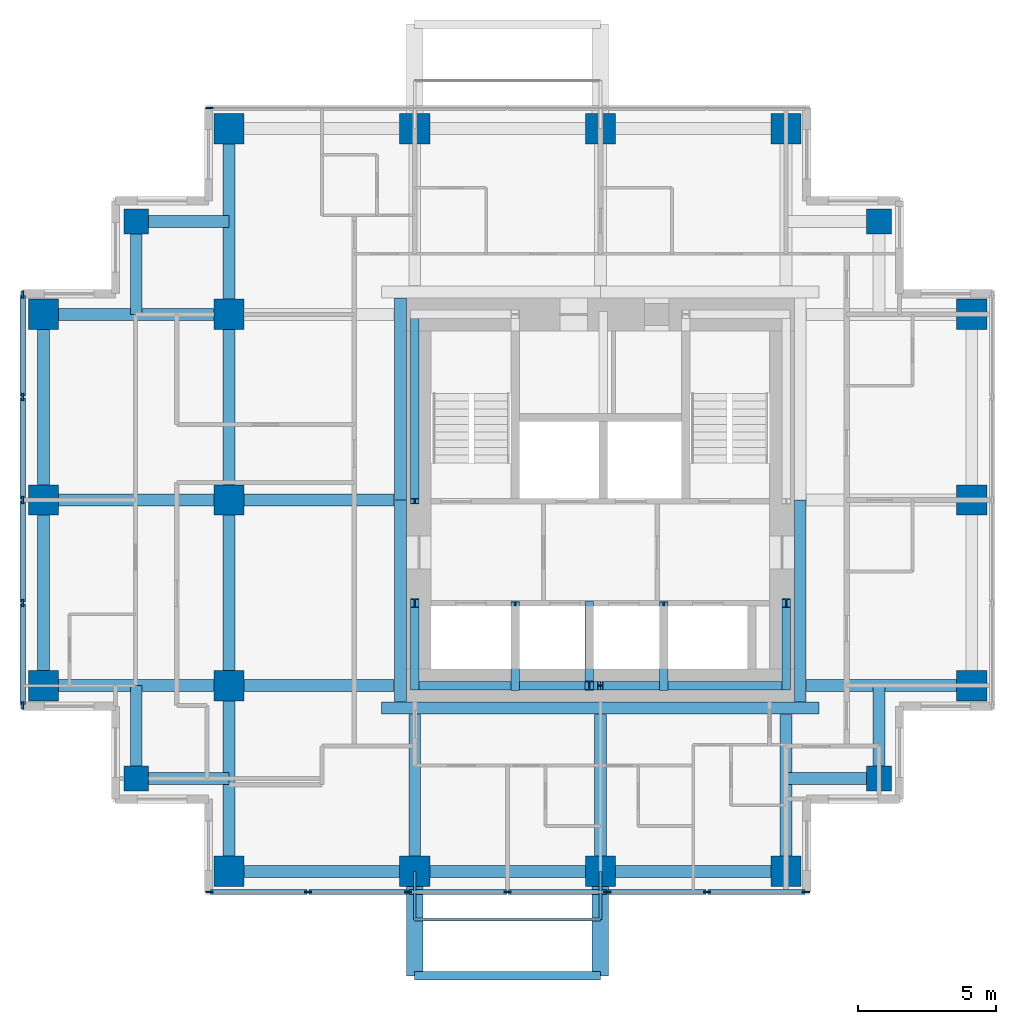
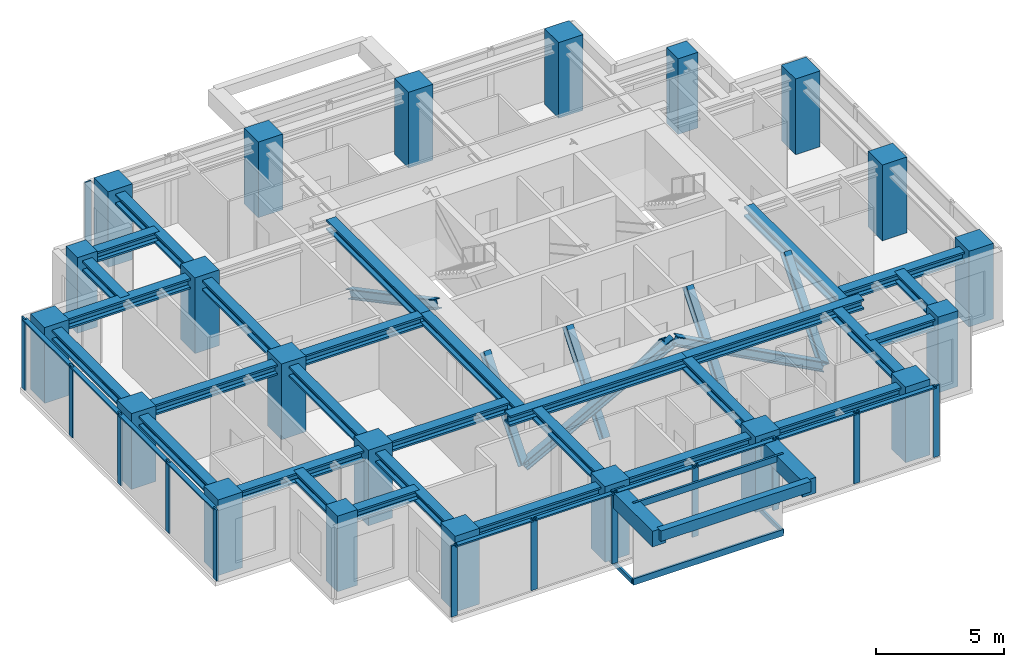
# One storey, part 1 of 7: 35 members, 32 beams, 21 columns, 3 elements without a shape of their own.
"""IFC4 building model written with IfcOpenShell, lengths in metres."""

from ifc_helpers import new_model, si_unit, direction, frame, origin, origin_2d, place, context, subcontext, project, spatial, rectangle, hollow_rectangle, i_section, extrude, material, material_profile, profile_set, type_object, element, aggregate, save


model = new_model("IFC4")

# Units and contexts
model_context = context("Model", 3, precision=1e-05, world=origin(), true_north=direction((0.0, 1.0)))
body_context = subcontext(model_context, "Body", "Model", "MODEL_VIEW")
ifc_project = project(units=[si_unit("LENGTHUNIT", "METRE"), si_unit("AREAUNIT", "SQUARE_METRE"), si_unit("VOLUMEUNIT", "CUBIC_METRE"), si_unit("PLANEANGLEUNIT", "RADIAN"), si_unit("MASSUNIT", "GRAM", prefix="KILO")], contexts=[model_context])

# Site, building, storey
site_placement = place(None, origin())
site = spatial("IfcSite", under=ifc_project, at=site_placement, CompositionType="ELEMENT")
building_placement = place(site_placement, origin())
building = spatial("IfcBuilding", under=site, at=building_placement, Name="Nyansa Garden Tower", CompositionType="ELEMENT")
storey_placement = place(building_placement, frame((0.0, 0.0, 215.10009765625)))
storey = spatial("IfcBuildingStorey", under=building, at=storey_placement, Name="L58", CompositionType="ELEMENT", Elevation=215.10009765625)

# Columns
ifc_material_1 = material(Name="Concrete C70/85", Category="concrete")
ifc_material_profile_1 = material_profile(ifc_material_1, rectangle(XDim=1.10009765625, YDim=1.10009765625, at=origin_2d()), Name="RC 1100x1100")
ifc_profile_set_1 = profile_set([ifc_material_profile_1], Name="Concrete C70/85")
column_type_1 = type_object("IfcColumnType", Name="Column C110 RC 1100x1100", PredefinedType="COLUMN", material=ifc_profile_set_1)
for number, where, z_axis, x_axis, name in (
    (1, (0.0, 13.5, 0.0), (0.0, 0.0, 1.0), (1.0, 0.0, 0.0), "Column 2/F L58"),
    (2, (0.0, 20.25, 0.0), (0.0, 0.0, 1.0), (1.0, 0.0, 0.0), "Column 2/G L58"),
    (3, (0.0, 27.0, 0.0), (0.0, 0.0, 1.0), (1.0, 0.0, 0.0), "Column 2/H L58"),
    (4, (6.75, 6.75, 0.0), (0.0, 0.0, 1.0), (1.0, 0.0, 0.0), "Column 3/E L58"),
    (5, (6.75, 13.5, 0.0), (0.0, 0.0, 1.0), (1.0, 0.0, 0.0), "Column 3/F L58"),
    (6, (6.75, 20.25, 0.0), (0.0, 0.0, 1.0), (1.0, 0.0, 0.0), "Column 3/G L58"),
    (7, (6.75, 27.0, 0.0), (0.0, 0.0, 1.0), (1.0, 0.0, 0.0), "Column 3/H L58"),
    (8, (6.75, 33.75, 0.0), (0.0, 0.0, 1.0), (1.0, 0.0, 0.0), "Column 3/J L58"),
    (9, (13.5, 6.75, 0.0), (0.0, 0.0, 1.0), (1.0, 0.0, 0.0), "Column 4/E L58"),
    (10, (13.5, 33.75, 0.0), (0.0, 0.0, 1.0), (1.0, 0.0, 0.0), "Column 4/J L58"),
    (11, (20.25, 6.75, 0.0), (0.0, 0.0, 1.0), (1.0, 0.0, 0.0), "Column 5/E L58"),
    (12, (20.25, 33.75, 0.0), (0.0, 0.0, 1.0), (1.0, 0.0, 0.0), "Column 5/J L58"),
    (13, (27.0, 6.75, 0.0), (0.0, 0.0, 1.0), (1.0, 0.0, 0.0), "Column 6/E L58"),
    (14, (27.0, 33.75, 0.0), (0.0, 0.0, 1.0), (1.0, 0.0, 0.0), "Column 6/J L58"),
    (15, (33.75, 13.5, 0.0), (0.0, 0.0, 1.0), (1.0, 0.0, 0.0), "Column 7/F L58"),
    (16, (33.75, 20.25, 0.0), (0.0, 0.0, 1.0), (1.0, 0.0, 0.0), "Column 7/G L58"),
    (17, (33.75, 27.0, 0.0), (0.0, 0.0, 1.0), (1.0, 0.0, 0.0), "Column 7/H L58"),
):
    element("IfcColumn", number, at=place(storey_placement, frame(where, z_axis=z_axis, x_axis=x_axis)), inside=storey, type_object=column_type_1, Name=name, PredefinedType="COLUMN", context=body_context, shape_type="SweptSolid", body=[
        extrude(rectangle(XDim=1.10009765625, YDim=1.10009765625, at=origin_2d()), origin(), (0.0, 0.0, 1.0), 3.599853515625),
    ])
ifc_material_2 = material(Name="Concrete C70/85", Category="concrete")
ifc_material_profile_2 = material_profile(ifc_material_2, rectangle(XDim=0.89990234375, YDim=0.89990234375, at=origin_2d()), Name="RC 900x900")
ifc_profile_set_2 = profile_set([ifc_material_profile_2], Name="Concrete C70/85")
column_type_2 = type_object("IfcColumnType", Name="Column C90 RC 900x900", PredefinedType="COLUMN", material=ifc_profile_set_2)
for number, where, z_axis, x_axis, name in (
    (18, (3.375, 10.125, 0.0), (0.0, 0.0, 1.0), (1.0, 0.0, 0.0), "Column x3.375/y10.125 L58"),
    (19, (3.375, 30.375, 0.0), (0.0, 0.0, 1.0), (1.0, 0.0, 0.0), "Column x3.375/y30.375 L58"),
    (20, (30.375, 10.125, 0.0), (0.0, 0.0, 1.0), (1.0, 0.0, 0.0), "Column x30.375/y10.125 L58"),
    (21, (30.375, 30.375, 0.0), (0.0, 0.0, 1.0), (1.0, 0.0, 0.0), "Column x30.375/y30.375 L58"),
):
    element("IfcColumn", number, at=place(storey_placement, frame(where, z_axis=z_axis, x_axis=x_axis)), inside=storey, type_object=column_type_2, Name=name, PredefinedType="COLUMN", context=body_context, shape_type="SweptSolid", body=[
        extrude(rectangle(XDim=0.89990234375, YDim=0.89990234375, at=origin_2d()), origin(), (0.0, 0.0, 1.0), 3.599853515625),
    ])

# Beams
ifc_material_3 = material(Name="Concrete C70/85", Category="concrete")
ifc_material_profile_3 = material_profile(ifc_material_3, rectangle(XDim=0.60009765625, YDim=0.75, at=origin_2d()), Name="RC 600x750")
ifc_profile_set_3 = profile_set([ifc_material_profile_3], Name="Concrete C70/85")
beam_type_1 = type_object("IfcBeamType", Name="Balcony cantilever beam CB1 RC 600x750", PredefinedType="BEAM", material=ifc_profile_set_3)
for number, where, z_axis, x_axis, name in (
    (22, (13.5, 6.75, 2.98486328125), (0.0, -1.0, 0.0), (1.0, 0.0, 0.0), "Balcony cantilever beam L59"),
    (23, (20.25, 6.75, 2.98486328125), (0.0, -1.0, 0.0), (1.0, 0.0, 0.0), "Balcony cantilever beam L59"),
):
    element("IfcBeam", number, at=place(storey_placement, frame(where, z_axis=z_axis, x_axis=x_axis)), inside=storey, type_object=beam_type_1, Name=name, PredefinedType="BEAM", context=body_context, shape_type="SweptSolid", body=[
        extrude(rectangle(XDim=0.60009765625, YDim=0.75, at=origin_2d()), origin(), (0.0, 0.0, 1.0), 3.800048828125),
    ])
ifc_material_4 = material(Name="Concrete C70/85", Category="concrete")
ifc_material_profile_4 = material_profile(ifc_material_4, rectangle(XDim=0.300048828125, YDim=0.5, at=origin_2d()), Name="RC 300x500")
ifc_profile_set_4 = profile_set([ifc_material_profile_4], Name="Concrete C70/85")
beam_type_2 = type_object("IfcBeamType", Name="Balcony edge beam BE1 RC 300x500", PredefinedType="BEAM", material=ifc_profile_set_4)
beam_1_placement = place(storey_placement, frame((13.5, 2.949951171875, 3.10986328125), z_axis=(1.0, 0.0, 0.0), x_axis=(0.0, 1.0, 0.0)))
element("IfcBeam", 24, at=beam_1_placement, inside=storey, type_object=beam_type_2, Name="Balcony edge beam L59", PredefinedType="BEAM", context=body_context, shape_type="SweptSolid", body=[
    extrude(rectangle(XDim=0.300048828125, YDim=0.5, at=origin_2d()), origin(), (0.0, 0.0, 1.0), 6.75),
])

# Curtain wall, member
ifc_material_5 = material(Name="Black anodised aluminium, dark tinted double glazing", Category="aluminium")
curtain_wall_type = type_object("IfcCurtainWallType", Name="Inner skin curtain wall ISW-D", PredefinedType="USERDEFINED", material=ifc_material_5)
curtain_wall_1_placement = place(storey_placement, origin())
curtain_wall_1 = element("IfcCurtainWall", 25, at=curtain_wall_1_placement, inside=storey, type_object=curtain_wall_type, Name="Inner skin curtain wall L58 N", ObjectType="UNITISED CURTAIN WALL", PredefinedType="USERDEFINED")
ifc_material_6 = material(Name="Black anodised aluminium", Category="aluminium")
ifc_material_profile_5 = material_profile(ifc_material_6, rectangle(XDim=0.070068359375, YDim=0.27490234375, at=origin_2d()), Name="Mullion 275x70")
ifc_profile_set_5 = profile_set([ifc_material_profile_5], Name="Black anodised aluminium")
member_type_1 = type_object("IfcMemberType", Name="Mullion ISW-D 275x70", PredefinedType="MULLION", material=ifc_profile_set_5)
member_1_placement = place(storey_placement, frame((6.034912109375, 34.5, 0.0), z_axis=(0.0, 0.0, 1.0), x_axis=(0.0, -1.0, 0.0)))
member_1 = element("IfcMember", 26, at=member_1_placement, type_object=member_type_1, Name="ISW-D mullion 7", PredefinedType="MULLION", context=body_context, shape_type="SweptSolid", body=[
    extrude(rectangle(XDim=0.070068359375, YDim=0.27490234375, at=origin_2d()), origin(), (0.0, 0.0, 1.0), 3.375),
])
aggregate(curtain_wall_1, [member_1])

# Curtain wall, members
curtain_wall_2_placement = place(storey_placement, origin())
curtain_wall_2 = element("IfcCurtainWall", 27, at=curtain_wall_2_placement, inside=storey, type_object=curtain_wall_type, Name="Inner skin curtain wall L58 W", ObjectType="UNITISED CURTAIN WALL", PredefinedType="USERDEFINED")
member_2_placement = place(storey_placement, frame((-0.75, 27.715087890625, 0.0), z_axis=(0.0, 0.0, 1.0), x_axis=(1.0, 0.0, 0.0)))
member_2 = element("IfcMember", 28, at=member_2_placement, type_object=member_type_1, Name="ISW-D mullion 1", PredefinedType="MULLION", context=body_context, shape_type="SweptSolid", body=[
    extrude(rectangle(XDim=0.070068359375, YDim=0.27490234375, at=origin_2d()), origin(), (0.0, 0.0, 1.0), 3.375),
])
member_3_placement = place(storey_placement, frame((-0.75, 24.0, 0.0), z_axis=(0.0, 0.0, 1.0), x_axis=(1.0, 0.0, 0.0)))
member_3 = element("IfcMember", 29, at=member_3_placement, type_object=member_type_1, Name="ISW-D mullion 2", PredefinedType="MULLION", context=body_context, shape_type="SweptSolid", body=[
    extrude(rectangle(XDim=0.070068359375, YDim=0.27490234375, at=origin_2d()), origin(), (0.0, 0.0, 1.0), 3.375),
])
member_4_placement = place(storey_placement, frame((-0.75, 20.25, 0.0), z_axis=(0.0, 0.0, 1.0), x_axis=(1.0, 0.0, 0.0)))
member_4 = element("IfcMember", 30, at=member_4_placement, type_object=member_type_1, Name="ISW-D mullion 3", PredefinedType="MULLION", context=body_context, shape_type="SweptSolid", body=[
    extrude(rectangle(XDim=0.070068359375, YDim=0.27490234375, at=origin_2d()), origin(), (0.0, 0.0, 1.0), 3.375),
])
member_5_placement = place(storey_placement, frame((-0.75, 16.5, 0.0), z_axis=(0.0, 0.0, 1.0), x_axis=(1.0, 0.0, 0.0)))
member_5 = element("IfcMember", 31, at=member_5_placement, type_object=member_type_1, Name="ISW-D mullion 4", PredefinedType="MULLION", context=body_context, shape_type="SweptSolid", body=[
    extrude(rectangle(XDim=0.070068359375, YDim=0.27490234375, at=origin_2d()), origin(), (0.0, 0.0, 1.0), 3.375),
])
member_6_placement = place(storey_placement, frame((-0.75, 12.784912109375, 0.0), z_axis=(0.0, 0.0, 1.0), x_axis=(1.0, 0.0, 0.0)))
member_6 = element("IfcMember", 32, at=member_6_placement, type_object=member_type_1, Name="ISW-D mullion 5", PredefinedType="MULLION", context=body_context, shape_type="SweptSolid", body=[
    extrude(rectangle(XDim=0.070068359375, YDim=0.27490234375, at=origin_2d()), origin(), (0.0, 0.0, 1.0), 3.375),
])

curtain_wall_3_placement = place(storey_placement, origin())
curtain_wall_3 = element("IfcCurtainWall", 33, at=curtain_wall_3_placement, inside=storey, type_object=curtain_wall_type, Name="Inner skin curtain wall L58 S", ObjectType="UNITISED CURTAIN WALL", PredefinedType="USERDEFINED")
member_7_placement = place(storey_placement, frame((6.034912109375, 6.0, 0.0), z_axis=(0.0, 0.0, 1.0), x_axis=(0.0, 1.0, 0.0)))
member_7 = element("IfcMember", 34, at=member_7_placement, type_object=member_type_1, Name="ISW-D mullion 1", PredefinedType="MULLION", context=body_context, shape_type="SweptSolid", body=[
    extrude(rectangle(XDim=0.070068359375, YDim=0.27490234375, at=origin_2d()), origin(), (0.0, 0.0, 1.0), 3.375),
])
member_8_placement = place(storey_placement, frame((9.625, 6.0, 0.0), z_axis=(0.0, 0.0, 1.0), x_axis=(0.0, 1.0, 0.0)))
member_8 = element("IfcMember", 35, at=member_8_placement, type_object=member_type_1, Name="ISW-D mullion 2", PredefinedType="MULLION", context=body_context, shape_type="SweptSolid", body=[
    extrude(rectangle(XDim=0.070068359375, YDim=0.27490234375, at=origin_2d()), origin(), (0.0, 0.0, 1.0), 3.375),
])
member_9_placement = place(storey_placement, frame((13.25, 6.0, 0.0), z_axis=(0.0, 0.0, 1.0), x_axis=(0.0, 1.0, 0.0)))
member_9 = element("IfcMember", 36, at=member_9_placement, type_object=member_type_1, Name="ISW-D mullion 3", PredefinedType="MULLION", context=body_context, shape_type="SweptSolid", body=[
    extrude(rectangle(XDim=0.070068359375, YDim=0.27490234375, at=origin_2d()), origin(), (0.0, 0.0, 1.0), 3.375),
])
member_10_placement = place(storey_placement, frame((16.875, 6.0, 0.0), z_axis=(0.0, 0.0, 1.0), x_axis=(0.0, 1.0, 0.0)))
member_10 = element("IfcMember", 37, at=member_10_placement, type_object=member_type_1, Name="ISW-D mullion 4", PredefinedType="MULLION", context=body_context, shape_type="SweptSolid", body=[
    extrude(rectangle(XDim=0.070068359375, YDim=0.27490234375, at=origin_2d()), origin(), (0.0, 0.0, 1.0), 3.375),
])
member_11_placement = place(storey_placement, frame((20.5, 6.0, 0.0), z_axis=(0.0, 0.0, 1.0), x_axis=(0.0, 1.0, 0.0)))
member_11 = element("IfcMember", 38, at=member_11_placement, type_object=member_type_1, Name="ISW-D mullion 5", PredefinedType="MULLION", context=body_context, shape_type="SweptSolid", body=[
    extrude(rectangle(XDim=0.070068359375, YDim=0.27490234375, at=origin_2d()), origin(), (0.0, 0.0, 1.0), 3.375),
])
member_12_placement = place(storey_placement, frame((24.125, 6.0, 0.0), z_axis=(0.0, 0.0, 1.0), x_axis=(0.0, 1.0, 0.0)))
member_12 = element("IfcMember", 39, at=member_12_placement, type_object=member_type_1, Name="ISW-D mullion 6", PredefinedType="MULLION", context=body_context, shape_type="SweptSolid", body=[
    extrude(rectangle(XDim=0.070068359375, YDim=0.27490234375, at=origin_2d()), origin(), (0.0, 0.0, 1.0), 3.375),
])
member_13_placement = place(storey_placement, frame((27.715087890625, 6.0, 0.0), z_axis=(0.0, 0.0, 1.0), x_axis=(0.0, 1.0, 0.0)))
member_13 = element("IfcMember", 40, at=member_13_placement, type_object=member_type_1, Name="ISW-D mullion 7", PredefinedType="MULLION", context=body_context, shape_type="SweptSolid", body=[
    extrude(rectangle(XDim=0.070068359375, YDim=0.27490234375, at=origin_2d()), origin(), (0.0, 0.0, 1.0), 3.375),
])

# Members
ifc_material_7 = material(Name="Steel S355, black powder coated", Category="steel")
ifc_material_profile_6 = material_profile(ifc_material_7, hollow_rectangle(XDim=0.10009765625, YDim=0.199951171875, WallThickness=0.008056640625, at=origin_2d()), Name="RHS 200x100x8")
ifc_profile_set_6 = profile_set([ifc_material_profile_6], Name="Steel S355, black powder coated")
member_type_2 = type_object("IfcMemberType", Name="Outer skin bracket arm RHS 200x100x8", PredefinedType="USERDEFINED", material=ifc_profile_set_6)
for number, where, z_axis, x_axis, name in (
    (41, (13.5, 6.75, -0.375), (0.0, -1.0, 0.0), (1.0, 0.0, 0.0), "Outer skin bracket arm"),
    (42, (20.25, 6.75, -0.375), (0.0, -1.0, 0.0), (1.0, 0.0, 0.0), "Outer skin bracket arm"),
):
    element("IfcMember", number, at=place(storey_placement, frame(where, z_axis=z_axis, x_axis=x_axis)), inside=storey, type_object=member_type_2, Name=name, ObjectType="OUTER SKIN BRACKET", PredefinedType="USERDEFINED", context=body_context, shape_type="SweptSolid", body=[
        extrude(hollow_rectangle(XDim=0.10009765625, YDim=0.199951171875, WallThickness=0.008056640625, at=origin_2d()), origin(), (0.0, 0.0, 1.0), 1.75),
    ])
ifc_material_8 = material(Name="Steel S355, black powder coated", Category="steel")
ifc_material_profile_7 = material_profile(ifc_material_8, hollow_rectangle(XDim=0.10009765625, YDim=0.300048828125, WallThickness=0.010009765625, at=origin_2d()), Name="RHS 300x100x10")
ifc_profile_set_7 = profile_set([ifc_material_profile_7], Name="Steel S355, black powder coated")
member_type_3 = type_object("IfcMemberType", Name="Outer skin rail RHS 300x100x10", PredefinedType="USERDEFINED", material=ifc_profile_set_7)
for number, where, z_axis, x_axis, name in (
    (43, (13.5, 5.0, -0.375), (1.0, 0.0, 0.0), (0.0, 1.0, 0.0), "Outer skin rail L58"),
    (44, (13.5, 5.0, 3.224853515625), (1.0, 0.0, 0.0), (0.0, 1.0, 0.0), "Outer skin rail L58 head"),
):
    element("IfcMember", number, at=place(storey_placement, frame(where, z_axis=z_axis, x_axis=x_axis)), inside=storey, type_object=member_type_3, Name=name, ObjectType="OUTER SKIN RAIL", PredefinedType="USERDEFINED", context=body_context, shape_type="SweptSolid", body=[
        extrude(hollow_rectangle(XDim=0.10009765625, YDim=0.300048828125, WallThickness=0.010009765625, at=origin_2d()), origin(), (0.0, 0.0, 1.0), 6.75),
    ])
ifc_material_9 = material(Name="Steel S355", Category="steel")
ifc_material_profile_8 = material_profile(ifc_material_9, i_section(OverallWidth=0.306884765625, OverallDepth=0.431884765625, WebThickness=0.02099609375, FlangeThickness=0.0400390625, FilletRadius=0.027099609375, at=origin_2d()), Name="HE 400 M")
ifc_profile_set_8 = profile_set([ifc_material_profile_8], Name="Steel S355")
member_type_4 = type_object("IfcMemberType", Name="Perimeter brace HE 400 M", PredefinedType="BRACE", material=ifc_profile_set_8)
for number, where, z_axis, x_axis, name in (
    (45, (13.5, 13.5, 0.0), (0.882360891967, 0.0, 0.470573327259), (0.0, 1.0, 0.0), "Core brace CS1 L58"),
    (46, (27.0, 13.5, 0.0), (-0.882360891967, 0.0, 0.470573327259), (0.0, -1.0, 0.0), "Core brace CS2 L58"),
):
    element("IfcMember", number, at=place(storey_placement, frame(where, z_axis=z_axis, x_axis=x_axis)), inside=storey, type_object=member_type_4, Name=name, PredefinedType="BRACE", context=body_context, shape_type="SweptSolid", body=[
        extrude(i_section(OverallWidth=0.306884765625, OverallDepth=0.431884765625, WebThickness=0.02099609375, FlangeThickness=0.0400390625, FilletRadius=0.027099609375, at=origin_2d()), origin(), (0.0, 0.0, 1.0), 7.64990234375),
    ])
member_14_placement = place(storey_placement, frame((13.5, 13.5, 0.0), z_axis=(0.0, 0.640199773186, 0.768208468069), x_axis=(-1.0, 0.0, 0.0)))
element("IfcMember", 47, at=member_14_placement, inside=storey, type_object=member_type_4, Name="Core brace CW5 L58", PredefinedType="BRACE", context=body_context, shape_type="SweptSolid", body=[
    extrude(i_section(OverallWidth=0.306884765625, OverallDepth=0.431884765625, WebThickness=0.02099609375, FlangeThickness=0.0400390625, FilletRadius=0.027099609375, at=origin_2d()), origin(), (0.0, 0.0, 1.0), 4.68603515625),
])
member_15_placement = place(storey_placement, frame((13.5, 27.0, 0.0), z_axis=(0.0, -0.883797178129, 0.467870225524), x_axis=(1.0, 0.0, 0.0)))
element("IfcMember", 48, at=member_15_placement, inside=storey, type_object=member_type_4, Name="Core brace CW6 L58", PredefinedType="BRACE", context=body_context, shape_type="SweptSolid", body=[
    extrude(i_section(OverallWidth=0.306884765625, OverallDepth=0.431884765625, WebThickness=0.02099609375, FlangeThickness=0.0400390625, FilletRadius=0.027099609375, at=origin_2d()), origin(), (0.0, 0.0, 1.0), 7.694091796875),
])
member_16_placement = place(storey_placement, frame((27.0, 13.5, 0.0), z_axis=(0.0, 0.640199773186, 0.768208468069), x_axis=(-1.0, 0.0, 0.0)))
element("IfcMember", 49, at=member_16_placement, inside=storey, type_object=member_type_4, Name="Core brace CE7 L58", PredefinedType="BRACE", context=body_context, shape_type="SweptSolid", body=[
    extrude(i_section(OverallWidth=0.306884765625, OverallDepth=0.431884765625, WebThickness=0.02099609375, FlangeThickness=0.0400390625, FilletRadius=0.027099609375, at=origin_2d()), origin(), (0.0, 0.0, 1.0), 4.68603515625),
])
for number, where, z_axis, x_axis, name in (
    (50, (17.14990234375, 13.5, 0.0), (0.0, 0.627332207022, 0.778751758928), (-1.0, 0.0, 0.0), "Core brace CSW11 L58"),
    (51, (19.85009765625, 16.39990234375, 0.0), (0.0, -0.627332207022, 0.778751758928), (1.0, 0.0, 0.0), "Core brace CSW12 L58"),
    (52, (22.550048828125, 13.5, 0.0), (0.0, 0.627332207022, 0.778751758928), (-1.0, 0.0, 0.0), "Core brace CSW13 L58"),
):
    element("IfcMember", number, at=place(storey_placement, frame(where, z_axis=z_axis, x_axis=x_axis)), inside=storey, type_object=member_type_4, Name=name, PredefinedType="BRACE", context=body_context, shape_type="SweptSolid", body=[
        extrude(i_section(OverallWidth=0.306884765625, OverallDepth=0.431884765625, WebThickness=0.02099609375, FlangeThickness=0.0400390625, FilletRadius=0.027099609375, at=origin_2d()), origin(), (0.0, 0.0, 1.0), 4.62255859375),
    ])

# Beams
ifc_material_10 = material(Name="Steel S355", Category="steel")
ifc_material_profile_9 = material_profile(ifc_material_10, i_section(OverallWidth=0.431884765625, OverallDepth=0.498046875, WebThickness=0.0556640625, FlangeThickness=0.0888671875, FilletRadius=0.014892578125, at=origin_2d()), Name="HD 400x744")
ifc_profile_set_9 = profile_set([ifc_material_profile_9], Name="Steel S355")
beam_type_3 = type_object("IfcBeamType", Name="Steel beam SBD1-744 HD 400x744", PredefinedType="BEAM", material=ifc_profile_set_9)
for number, where, z_axis, x_axis, name in (
    (53, (0.0, 13.5, 3.1259765625), (1.0, 0.0, 0.0), (0.0, 1.0, 0.0), "Steel beam 2/F-3/F L59"),
    (54, (0.0, 20.25, 3.1259765625), (1.0, 0.0, 0.0), (0.0, 1.0, 0.0), "Steel beam 2/G-3/G L59"),
    (55, (0.0, 27.0, 3.1259765625), (1.0, 0.0, 0.0), (0.0, 1.0, 0.0), "Steel beam 2/H-3/H L59"),
    (56, (6.75, 6.75, 3.1259765625), (0.0, 1.0, 0.0), (-1.0, 0.0, 0.0), "Steel beam 3/E-3/F L59"),
    (57, (6.75, 13.5, 3.1259765625), (0.0, 1.0, 0.0), (-1.0, 0.0, 0.0), "Steel beam 3/F-3/G L59"),
):
    element("IfcBeam", number, at=place(storey_placement, frame(where, z_axis=z_axis, x_axis=x_axis)), inside=storey, type_object=beam_type_3, Name=name, PredefinedType="BEAM", context=body_context, shape_type="SweptSolid", body=[
        extrude(i_section(OverallWidth=0.431884765625, OverallDepth=0.498046875, WebThickness=0.0556640625, FlangeThickness=0.0888671875, FilletRadius=0.014892578125, at=origin_2d()), origin(), (0.0, 0.0, 1.0), 6.75),
    ])
beam_2_placement = place(storey_placement, frame((6.75, 13.5, 3.1259765625), z_axis=(1.0, 0.0, 0.0), x_axis=(0.0, 1.0, 0.0)))
element("IfcBeam", 58, at=beam_2_placement, inside=storey, type_object=beam_type_3, Name="Steel beam 3/F-12.750/F L59", PredefinedType="BEAM", context=body_context, shape_type="SweptSolid", body=[
    extrude(i_section(OverallWidth=0.431884765625, OverallDepth=0.498046875, WebThickness=0.0556640625, FlangeThickness=0.0888671875, FilletRadius=0.014892578125, at=origin_2d()), origin(), (0.0, 0.0, 1.0), 6.0),
])
beam_3_placement = place(storey_placement, frame((6.75, 20.25, 3.1259765625), z_axis=(0.0, 1.0, 0.0), x_axis=(-1.0, 0.0, 0.0)))
element("IfcBeam", 59, at=beam_3_placement, inside=storey, type_object=beam_type_3, Name="Steel beam 3/G-3/H L59", PredefinedType="BEAM", context=body_context, shape_type="SweptSolid", body=[
    extrude(i_section(OverallWidth=0.431884765625, OverallDepth=0.498046875, WebThickness=0.0556640625, FlangeThickness=0.0888671875, FilletRadius=0.014892578125, at=origin_2d()), origin(), (0.0, 0.0, 1.0), 6.75),
])
beam_4_placement = place(storey_placement, frame((6.75, 20.25, 3.1259765625), z_axis=(1.0, 0.0, 0.0), x_axis=(0.0, 1.0, 0.0)))
element("IfcBeam", 60, at=beam_4_placement, inside=storey, type_object=beam_type_3, Name="Steel beam 3/G-12.750/G L59", PredefinedType="BEAM", context=body_context, shape_type="SweptSolid", body=[
    extrude(i_section(OverallWidth=0.431884765625, OverallDepth=0.498046875, WebThickness=0.0556640625, FlangeThickness=0.0888671875, FilletRadius=0.014892578125, at=origin_2d()), origin(), (0.0, 0.0, 1.0), 6.0),
])
beam_5_placement = place(storey_placement, frame((6.75, 27.0, 3.1259765625), z_axis=(0.0, 1.0, 0.0), x_axis=(-1.0, 0.0, 0.0)))
element("IfcBeam", 61, at=beam_5_placement, inside=storey, type_object=beam_type_3, Name="Steel beam 3/H-3/J L59", PredefinedType="BEAM", context=body_context, shape_type="SweptSolid", body=[
    extrude(i_section(OverallWidth=0.431884765625, OverallDepth=0.498046875, WebThickness=0.0556640625, FlangeThickness=0.0888671875, FilletRadius=0.014892578125, at=origin_2d()), origin(), (0.0, 0.0, 1.0), 6.75),
])
for number, where, z_axis, x_axis, name in (
    (62, (13.5, 6.75, 3.1259765625), (0.0, 1.0, 0.0), (-1.0, 0.0, 0.0), "Steel beam 4/E-4/12.450 L59"),
    (63, (20.25, 6.75, 3.1259765625), (0.0, 1.0, 0.0), (-1.0, 0.0, 0.0), "Steel beam 5/E-5/12.450 L59"),
    (64, (27.0, 6.75, 3.1259765625), (0.0, 1.0, 0.0), (-1.0, 0.0, 0.0), "Steel beam 6/E-6/12.450 L59"),
):
    element("IfcBeam", number, at=place(storey_placement, frame(where, z_axis=z_axis, x_axis=x_axis)), inside=storey, type_object=beam_type_3, Name=name, PredefinedType="BEAM", context=body_context, shape_type="SweptSolid", body=[
        extrude(i_section(OverallWidth=0.431884765625, OverallDepth=0.498046875, WebThickness=0.0556640625, FlangeThickness=0.0888671875, FilletRadius=0.014892578125, at=origin_2d()), origin(), (0.0, 0.0, 1.0), 5.699951171875),
    ])
beam_6_placement = place(storey_placement, frame((27.75, 13.5, 3.1259765625), z_axis=(1.0, 0.0, 0.0), x_axis=(0.0, 1.0, 0.0)))
element("IfcBeam", 65, at=beam_6_placement, inside=storey, type_object=beam_type_3, Name="Steel beam 27.750/F-7/F L59", PredefinedType="BEAM", context=body_context, shape_type="SweptSolid", body=[
    extrude(i_section(OverallWidth=0.431884765625, OverallDepth=0.498046875, WebThickness=0.0556640625, FlangeThickness=0.0888671875, FilletRadius=0.014892578125, at=origin_2d()), origin(), (0.0, 0.0, 1.0), 6.0),
])
ifc_material_11 = material(Name="Steel S355", Category="steel")
ifc_material_profile_10 = material_profile(ifc_material_11, i_section(OverallWidth=0.431884765625, OverallDepth=0.498046875, WebThickness=0.0556640625, FlangeThickness=0.0888671875, FilletRadius=0.014892578125, at=origin_2d()), Name="HD 400x744")
ifc_profile_set_10 = profile_set([ifc_material_profile_10], Name="Steel S355")
beam_type_4 = type_object("IfcBeamType", Name="Steel beam SEBD-744 HD 400x744", PredefinedType="BEAM", material=ifc_profile_set_10)
for number, where, z_axis, x_axis, name in (
    (66, (0.0, 13.5, 3.1259765625), (0.0, 1.0, 0.0), (-1.0, 0.0, 0.0), "Steel edge beam 2/F-2/G L59"),
    (67, (0.0, 20.25, 3.1259765625), (0.0, 1.0, 0.0), (-1.0, 0.0, 0.0), "Steel edge beam 2/G-2/H L59"),
    (68, (6.75, 6.75, 3.1259765625), (1.0, 0.0, 0.0), (0.0, 1.0, 0.0), "Steel edge beam 3/E-4/E L59"),
    (69, (13.5, 6.75, 3.1259765625), (1.0, 0.0, 0.0), (0.0, 1.0, 0.0), "Steel edge beam 4/E-5/E L59"),
    (70, (20.25, 6.75, 3.1259765625), (1.0, 0.0, 0.0), (0.0, 1.0, 0.0), "Steel edge beam 5/E-6/E L59"),
):
    element("IfcBeam", number, at=place(storey_placement, frame(where, z_axis=z_axis, x_axis=x_axis)), inside=storey, type_object=beam_type_4, Name=name, PredefinedType="BEAM", context=body_context, shape_type="SweptSolid", body=[
        extrude(i_section(OverallWidth=0.431884765625, OverallDepth=0.498046875, WebThickness=0.0556640625, FlangeThickness=0.0888671875, FilletRadius=0.014892578125, at=origin_2d()), origin(), (0.0, 0.0, 1.0), 6.75),
    ])
ifc_material_12 = material(Name="Steel S355", Category="steel")
ifc_material_profile_11 = material_profile(ifc_material_12, i_section(OverallWidth=0.431884765625, OverallDepth=0.498046875, WebThickness=0.0556640625, FlangeThickness=0.0888671875, FilletRadius=0.014892578125, at=origin_2d()), Name="HD 400x744")
ifc_profile_set_11 = profile_set([ifc_material_profile_11], Name="Steel S355")
beam_type_5 = type_object("IfcBeamType", Name="Steel beam SLB1-744 HD 400x744", PredefinedType="BEAM", material=ifc_profile_set_11)
for number, where, z_axis, x_axis, name in (
    (71, (12.300048828125, 12.68408203125, 3.1259765625), (1.0, 0.0, 0.0), (0.0, 1.0, 0.0), "Steel core ledger beam S.1 L59"),
    (72, (20.25, 12.68408203125, 3.1259765625), (1.0, 0.0, 0.0), (0.0, 1.0, 0.0), "Steel core ledger beam S.2 L59"),
):
    element("IfcBeam", number, at=place(storey_placement, frame(where, z_axis=z_axis, x_axis=x_axis)), inside=storey, type_object=beam_type_5, Name=name, PredefinedType="BEAM", context=body_context, shape_type="SweptSolid", body=[
        extrude(i_section(OverallWidth=0.431884765625, OverallDepth=0.498046875, WebThickness=0.0556640625, FlangeThickness=0.0888671875, FilletRadius=0.014892578125, at=origin_2d()), origin(), (0.0, 0.0, 1.0), 7.949951171875),
    ])
for number, where, z_axis, x_axis, name in (
    (73, (27.51611328125, 12.89990234375, 3.1259765625), (0.0, 1.0, 0.0), (-1.0, 0.0, 0.0), "Steel core ledger beam E.1 L59"),
    (74, (12.98388671875, 27.60009765625, 3.1259765625), (0.0, -1.0, 0.0), (1.0, 0.0, 0.0), "Steel core ledger beam W.1 L59"),
    (75, (12.98388671875, 20.25, 3.1259765625), (0.0, -1.0, 0.0), (1.0, 0.0, 0.0), "Steel core ledger beam W.2 L59"),
):
    element("IfcBeam", number, at=place(storey_placement, frame(where, z_axis=z_axis, x_axis=x_axis)), inside=storey, type_object=beam_type_5, Name=name, PredefinedType="BEAM", context=body_context, shape_type="SweptSolid", body=[
        extrude(i_section(OverallWidth=0.431884765625, OverallDepth=0.498046875, WebThickness=0.0556640625, FlangeThickness=0.0888671875, FilletRadius=0.014892578125, at=origin_2d()), origin(), (0.0, 0.0, 1.0), 7.35009765625),
    ])
ifc_material_13 = material(Name="Steel S355", Category="steel")
ifc_material_profile_12 = material_profile(ifc_material_13, i_section(OverallWidth=0.431884765625, OverallDepth=0.498046875, WebThickness=0.0556640625, FlangeThickness=0.0888671875, FilletRadius=0.014892578125, at=origin_2d()), Name="HD 400x744")
ifc_profile_set_12 = profile_set([ifc_material_profile_12], Name="Steel S355")
beam_type_6 = type_object("IfcBeamType", Name="Steel beam SSB1-744 HD 400x744", PredefinedType="BEAM", material=ifc_profile_set_12)
for number, where, z_axis, x_axis, name in (
    (76, (3.375, 10.125, 3.1259765625), (0.0, 1.0, 0.0), (-1.0, 0.0, 0.0), "Steel step beam 3.375/10.125 L59"),
    (77, (3.375, 10.125, 3.1259765625), (1.0, 0.0, 0.0), (0.0, 1.0, 0.0), "Steel step beam 3.375/10.125 L59"),
    (78, (30.375, 10.125, 3.1259765625), (0.0, 1.0, 0.0), (-1.0, 0.0, 0.0), "Steel step beam 30.375/10.125 L59"),
    (79, (30.375, 10.125, 3.1259765625), (-1.0, 0.0, 0.0), (0.0, -1.0, 0.0), "Steel step beam 30.375/10.125 L59"),
    (80, (3.375, 30.375, 3.1259765625), (0.0, -1.0, 0.0), (1.0, 0.0, 0.0), "Steel step beam 3.375/30.375 L59"),
    (81, (3.375, 30.375, 3.1259765625), (1.0, 0.0, 0.0), (0.0, 1.0, 0.0), "Steel step beam 3.375/30.375 L59"),
):
    element("IfcBeam", number, at=place(storey_placement, frame(where, z_axis=z_axis, x_axis=x_axis)), inside=storey, type_object=beam_type_6, Name=name, PredefinedType="BEAM", context=body_context, shape_type="SweptSolid", body=[
        extrude(i_section(OverallWidth=0.431884765625, OverallDepth=0.498046875, WebThickness=0.0556640625, FlangeThickness=0.0888671875, FilletRadius=0.014892578125, at=origin_2d()), origin(), (0.0, 0.0, 1.0), 3.375),
    ])

# Member
ifc_material_14 = material(Name="Black anodised aluminium", Category="aluminium")
ifc_material_profile_13 = material_profile(ifc_material_14, rectangle(XDim=0.195068359375, YDim=0.070068359375, at=origin_2d()), Name="Transom 195x70")
ifc_profile_set_13 = profile_set([ifc_material_profile_13], Name="Black anodised aluminium")
member_type_5 = type_object("IfcMemberType", Name="Transom ISW-D 195x70", PredefinedType="USERDEFINED", material=ifc_profile_set_13)
member_17_placement = place(storey_placement, frame((-0.75, 27.679931640625, 3.33984375), z_axis=(0.0, -1.0, 0.0), x_axis=(1.0, 0.0, 0.0)))
member_17 = element("IfcMember", 82, at=member_17_placement, type_object=member_type_5, Name="ISW-D transom 1", ObjectType="TRANSOM", PredefinedType="USERDEFINED", context=body_context, shape_type="SweptSolid", body=[
    extrude(rectangle(XDim=0.195068359375, YDim=0.070068359375, at=origin_2d()), origin(), (0.0, 0.0, 1.0), 3.64501953125),
])

member_18_placement = place(storey_placement, frame((-0.75, 23.965087890625, 3.33984375), z_axis=(0.0, -1.0, 0.0), x_axis=(1.0, 0.0, 0.0)))
member_18 = element("IfcMember", 83, at=member_18_placement, type_object=member_type_5, Name="ISW-D transom 2", ObjectType="TRANSOM", PredefinedType="USERDEFINED", context=body_context, shape_type="SweptSolid", body=[
    extrude(rectangle(XDim=0.195068359375, YDim=0.070068359375, at=origin_2d()), origin(), (0.0, 0.0, 1.0), 3.68017578125),
])

member_19_placement = place(storey_placement, frame((-0.75, 20.215087890625, 3.33984375), z_axis=(0.0, -1.0, 0.0), x_axis=(1.0, 0.0, 0.0)))
member_19 = element("IfcMember", 84, at=member_19_placement, type_object=member_type_5, Name="ISW-D transom 3", ObjectType="TRANSOM", PredefinedType="USERDEFINED", context=body_context, shape_type="SweptSolid", body=[
    extrude(rectangle(XDim=0.195068359375, YDim=0.070068359375, at=origin_2d()), origin(), (0.0, 0.0, 1.0), 3.68017578125),
])

member_20_placement = place(storey_placement, frame((-0.75, 16.465087890625, 3.33984375), z_axis=(0.0, -1.0, 0.0), x_axis=(1.0, 0.0, 0.0)))
member_20 = element("IfcMember", 85, at=member_20_placement, type_object=member_type_5, Name="ISW-D transom 4", ObjectType="TRANSOM", PredefinedType="USERDEFINED", context=body_context, shape_type="SweptSolid", body=[
    extrude(rectangle(XDim=0.195068359375, YDim=0.070068359375, at=origin_2d()), origin(), (0.0, 0.0, 1.0), 3.64501953125),
])

aggregate(curtain_wall_2, [member_2, member_3, member_4, member_5, member_6, member_17, member_18, member_19, member_20])

member_21_placement = place(storey_placement, frame((6.070068359375, 6.0, 3.33984375), z_axis=(1.0, 0.0, 0.0), x_axis=(0.0, 1.0, 0.0)))
member_21 = element("IfcMember", 86, at=member_21_placement, type_object=member_type_5, Name="ISW-D transom 1", ObjectType="TRANSOM", PredefinedType="USERDEFINED", context=body_context, shape_type="SweptSolid", body=[
    extrude(rectangle(XDim=0.195068359375, YDim=0.070068359375, at=origin_2d()), origin(), (0.0, 0.0, 1.0), 3.52001953125),
])

member_22_placement = place(storey_placement, frame((9.659912109375, 6.0, 3.33984375), z_axis=(1.0, 0.0, 0.0), x_axis=(0.0, 1.0, 0.0)))
member_22 = element("IfcMember", 87, at=member_22_placement, type_object=member_type_5, Name="ISW-D transom 2", ObjectType="TRANSOM", PredefinedType="USERDEFINED", context=body_context, shape_type="SweptSolid", body=[
    extrude(rectangle(XDim=0.195068359375, YDim=0.070068359375, at=origin_2d()), origin(), (0.0, 0.0, 1.0), 3.55517578125),
])

member_23_placement = place(storey_placement, frame((13.284912109375, 6.0, 3.33984375), z_axis=(1.0, 0.0, 0.0), x_axis=(0.0, 1.0, 0.0)))
member_23 = element("IfcMember", 88, at=member_23_placement, type_object=member_type_5, Name="ISW-D transom 3", ObjectType="TRANSOM", PredefinedType="USERDEFINED", context=body_context, shape_type="SweptSolid", body=[
    extrude(rectangle(XDim=0.195068359375, YDim=0.070068359375, at=origin_2d()), origin(), (0.0, 0.0, 1.0), 3.55517578125),
])

member_24_placement = place(storey_placement, frame((16.909912109375, 6.0, 3.33984375), z_axis=(1.0, 0.0, 0.0), x_axis=(0.0, 1.0, 0.0)))
member_24 = element("IfcMember", 89, at=member_24_placement, type_object=member_type_5, Name="ISW-D transom 4", ObjectType="TRANSOM", PredefinedType="USERDEFINED", context=body_context, shape_type="SweptSolid", body=[
    extrude(rectangle(XDim=0.195068359375, YDim=0.070068359375, at=origin_2d()), origin(), (0.0, 0.0, 1.0), 3.55517578125),
])

member_25_placement = place(storey_placement, frame((20.534912109375, 6.0, 3.33984375), z_axis=(1.0, 0.0, 0.0), x_axis=(0.0, 1.0, 0.0)))
member_25 = element("IfcMember", 90, at=member_25_placement, type_object=member_type_5, Name="ISW-D transom 5", ObjectType="TRANSOM", PredefinedType="USERDEFINED", context=body_context, shape_type="SweptSolid", body=[
    extrude(rectangle(XDim=0.195068359375, YDim=0.070068359375, at=origin_2d()), origin(), (0.0, 0.0, 1.0), 3.55517578125),
])

member_26_placement = place(storey_placement, frame((24.159912109375, 6.0, 3.33984375), z_axis=(1.0, 0.0, 0.0), x_axis=(0.0, 1.0, 0.0)))
member_26 = element("IfcMember", 91, at=member_26_placement, type_object=member_type_5, Name="ISW-D transom 6", ObjectType="TRANSOM", PredefinedType="USERDEFINED", context=body_context, shape_type="SweptSolid", body=[
    extrude(rectangle(XDim=0.195068359375, YDim=0.070068359375, at=origin_2d()), origin(), (0.0, 0.0, 1.0), 3.52001953125),
])

aggregate(curtain_wall_3, [member_7, member_8, member_9, member_10, member_11, member_12, member_13, member_21, member_22, member_23, member_24, member_25, member_26])

save(model, "model.ifc")
